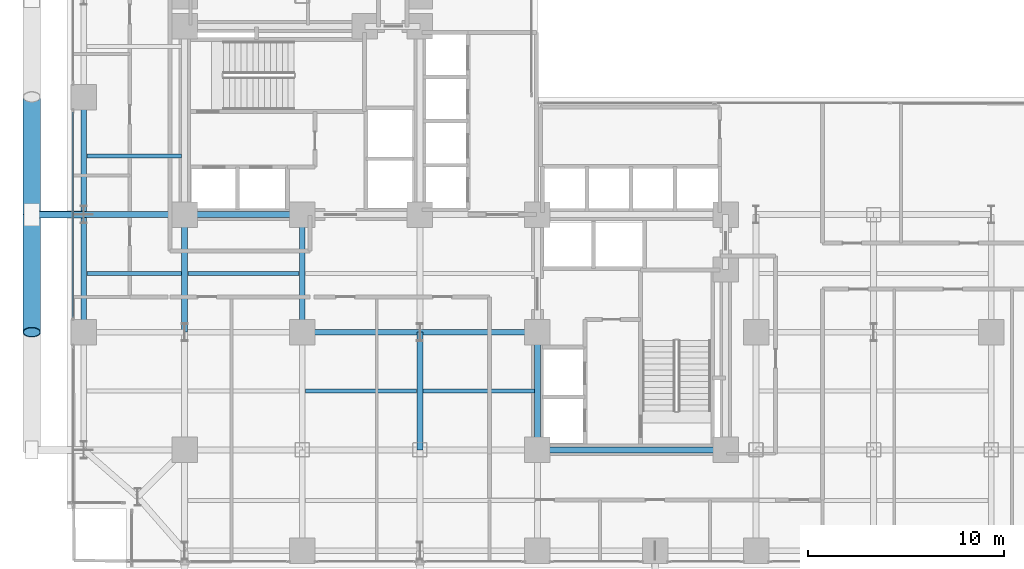
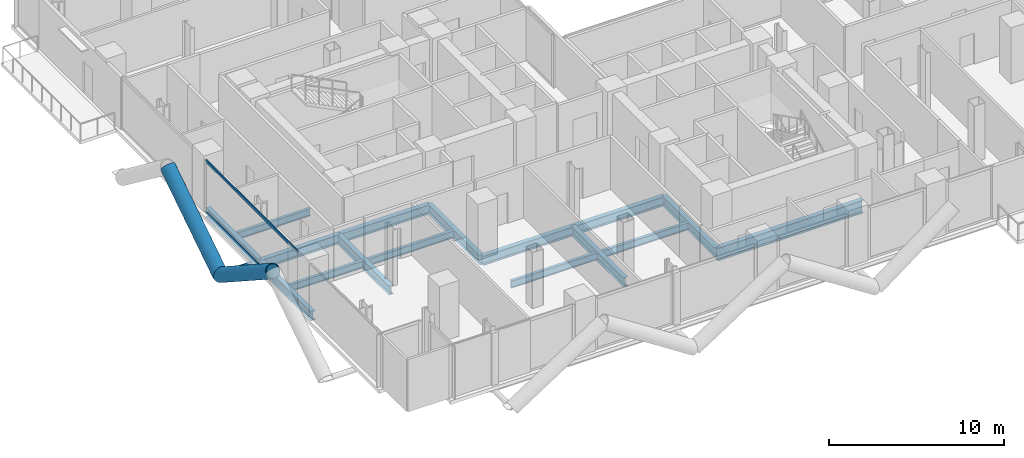
# One storey, part 4 of 27: 16 beams, 5 members, 1 element without a shape of its own.
"""IFC4 building model written with IfcOpenShell, lengths in metres."""

import ifcopenshell
import ifcopenshell.guid

model = None  # the IFC model being written
_history = None  # IfcOwnerHistory: only IFC2X3 demands one
_inside = {}  # id of a spatial element -> (the spatial element, [elements in it])
_under = {}  # id of a project, library or spatial element -> (it, [spatial elements below it])
_declared = {}  # id of a project -> (the project, [libraries it declares])
_typed = {}  # id of a type object -> (the type object, [elements of that type])
_made_of = {}  # id of a material, layer set ... -> (it, [elements and type objects made of it])


def new_model(schema):
    """Start an empty IFC model of exactly this schema.

    Asked for "IFC4X3", IfcOpenShell would pick the latest addendum, in which some entities
    have other attributes; the version numbers below select the first issue.
    IFC2X3 requires an IfcOwnerHistory on every rooted entity: one is made here for all.
    """
    global model, _history
    if schema == "IFC4X3":
        model = ifcopenshell.file(schema_version=(4, 3, 0, 0))
    else:
        model = ifcopenshell.file(schema=schema)
    _inside.clear()
    _under.clear()
    _declared.clear()
    _typed.clear()
    _made_of.clear()
    _history = None
    if model.schema == "IFC2X3":
        org = make("IfcOrganization", Name="unknown")
        user = make(
            "IfcPersonAndOrganization",
            ThePerson=make("IfcPerson", FamilyName="unknown"),
            TheOrganization=org,
        )
        app = make(
            "IfcApplication",
            ApplicationDeveloper=org,
            Version="unknown",
            ApplicationFullName="unknown",
            ApplicationIdentifier="unknown",
        )
        _history = make(
            "IfcOwnerHistory",
            OwningUser=user,
            OwningApplication=app,
            ChangeAction="ADDED",
            CreationDate=0,
        )
    return model


def make(cls, **values):
    """One entity of the class cls with the attributes given. An attribute that is None is left unset."""
    return model.create_entity(
        cls, **{name: value for name, value in values.items() if value is not None}
    )


def rooted(cls, **values):
    """An entity with a GlobalId (a new one), such as an element, a storey or a relation."""
    return make(cls, GlobalId=ifcopenshell.guid.new(), OwnerHistory=_history, **values)


def si_unit(unit_type, name, prefix=None):
    """IfcSIUnit, for example si_unit("LENGTHUNIT", "METRE", prefix="MILLI")."""
    return make("IfcSIUnit", UnitType=unit_type, Prefix=prefix, Name=name)


def assignment(units):
    """IfcUnitAssignment: the units of a project."""
    return None if units is None else make("IfcUnitAssignment", Units=units)


def point(xyz):
    """IfcCartesianPoint."""
    return None if xyz is None else make("IfcCartesianPoint", Coordinates=xyz)


def direction(xyz):
    """IfcDirection."""
    return None if xyz is None else make("IfcDirection", DirectionRatios=xyz)


def frame(location, z_axis=None, x_axis=None):
    """IfcAxis2Placement3D, a coordinate frame: its origin and axes. An axis left out is left unset."""
    return make(
        "IfcAxis2Placement3D",
        Location=point(location),
        Axis=direction(z_axis),
        RefDirection=direction(x_axis),
    )


def frame_2d(location, x_axis=None):
    """IfcAxis2Placement2D, a coordinate frame in the plane: its origin and x axis."""
    return make(
        "IfcAxis2Placement2D", Location=point(location), RefDirection=direction(x_axis)
    )


def origin():
    """The frame at (0, 0, 0) with its axes left unset."""
    return frame((0.0, 0.0, 0.0))


def origin_2d():
    """The frame at (0, 0) in the plane with its x axis left unset."""
    return frame_2d((0.0, 0.0))


def place(relative_to, where):
    """IfcLocalPlacement: puts the frame where relative to a parent placement (None: the world)."""
    return make(
        "IfcLocalPlacement", PlacementRelTo=relative_to, RelativePlacement=where
    )


def context(
    kind, dimensions, precision=None, world=None, true_north=None, identifier=None
):
    """IfcGeometricRepresentationContext, for example the 3D "Model" context."""
    return make(
        "IfcGeometricRepresentationContext",
        ContextIdentifier=identifier,
        ContextType=kind,
        CoordinateSpaceDimension=dimensions,
        Precision=precision,
        WorldCoordinateSystem=world,
        TrueNorth=true_north,
    )


def subcontext(parent, identifier, kind, view, scale=None):
    """IfcGeometricRepresentationSubContext, for example "Body" below "Model"."""
    return make(
        "IfcGeometricRepresentationSubContext",
        ContextIdentifier=identifier,
        ContextType=kind,
        ParentContext=parent,
        TargetScale=scale,
        TargetView=view,
    )


def project(units=None, contexts=None):
    """IfcProject with its units and contexts."""
    return rooted(
        "IfcProject",
        Name="project",
        RepresentationContexts=contexts,
        UnitsInContext=assignment(units),
    )


def spatial(cls, under=None, at=None, **own):
    """A site, building, storey or space (cls), placed at a placement, below another one or the project."""
    s = rooted(cls, ObjectPlacement=at, **own)
    if under is not None:
        _under.setdefault(under.id(), (under, []))[1].append(s)
    return s


def profile(cls, at=None, kind="AREA", **sizes):
    """A parametric profile (cls). Its sizes go by their IFC names, for example OverallWidth=200.0."""
    return make(cls, ProfileType=kind, Position=at, **sizes)


def hollow_rectangle(**sizes):
    """IfcRectangleHollowProfileDef."""
    return profile("IfcRectangleHollowProfileDef", **sizes)


def hollow_circle(**sizes):
    """IfcCircleHollowProfileDef."""
    return profile("IfcCircleHollowProfileDef", **sizes)


def i_section(**sizes):
    """IfcIShapeProfileDef."""
    return profile("IfcIShapeProfileDef", **sizes)


def extrude(swept, where, along, depth):
    """IfcExtrudedAreaSolid: the profile swept, set in the frame where, extruded along a direction by depth."""
    return make(
        "IfcExtrudedAreaSolid",
        SweptArea=swept,
        Position=where,
        ExtrudedDirection=direction(along),
        Depth=depth,
    )


def shape(context_of_items, identifier, shape_type, items):
    """IfcShapeRepresentation: the items that make up one representation, for example the "Body"."""
    return make(
        "IfcShapeRepresentation",
        ContextOfItems=context_of_items,
        RepresentationIdentifier=identifier,
        RepresentationType=shape_type,
        Items=items,
    )


def material(Name=None, Category=None):
    """IfcMaterial."""
    return make("IfcMaterial", Name=Name, Category=Category)


def layer(
    of_material, thickness, ventilated=None, Name=None, Category=None, Priority=None
):
    """IfcMaterialLayer: one layer of a wall or slab, of a material (None: an air gap)."""
    return make(
        "IfcMaterialLayer",
        Material=of_material,
        LayerThickness=thickness,
        IsVentilated=ventilated,
        Name=Name,
        Category=Category,
        Priority=Priority,
    )


def layer_set(layers, Name=None):
    """IfcMaterialLayerSet."""
    return make("IfcMaterialLayerSet", MaterialLayers=layers, LayerSetName=Name)


def material_profile(
    of_material, cross_section, Name=None, Category=None, Priority=None
):
    """IfcMaterialProfile: a cross section and its material."""
    return make(
        "IfcMaterialProfile",
        Name=Name,
        Material=of_material,
        Profile=cross_section,
        Priority=Priority,
        Category=Category,
    )


def profile_set(profiles, Name=None, composite=None):
    """IfcMaterialProfileSet."""
    return make(
        "IfcMaterialProfileSet",
        Name=Name,
        MaterialProfiles=profiles,
        CompositeProfile=composite,
    )


def made_of(thing, what):
    """Note that an element or type object is made of a material, layer set ...; save() writes the relation."""
    if what is not None:
        _made_of.setdefault(what.id(), (what, []))[1].append(thing)
    return thing


def type_object(cls, material=None, **own):
    """A type object (cls), such as IfcWallType, which elements share."""
    return made_of(rooted(cls, **own), material)


def element(
    cls,
    number,
    at=None,
    inside=None,
    cuts=None,
    type_object=None,
    material=None,
    context=None,
    identifier="Body",
    shape_type=None,
    held_by="IfcProductDefinitionShape",
    body=None,
    shapes=None,
    **own,
):
    """One element of the class cls, such as IfcWall. Its Tag is "e" and its number.

    at: its placement. inside: the storey or other place that contains it. cuts: it is an
    opening in that element (IfcRelVoidsElement). A single representation is given by context,
    identifier, shape_type and body (its items); several are given by shapes. held_by: the class
    of the entity that holds the representations. save() writes the other relations.
    """
    e = rooted(cls, Tag="e%d" % number, ObjectPlacement=at, **own)
    if body is not None:
        shapes = [shape(context, identifier, shape_type, body)]
    if shapes is not None:
        e.Representation = make(held_by, Representations=shapes)
    if inside is not None:
        _inside.setdefault(inside.id(), (inside, []))[1].append(e)
    if cuts is not None:
        rooted(
            "IfcRelVoidsElement", RelatingBuildingElement=cuts, RelatedOpeningElement=e
        )
    if type_object is not None:
        _typed.setdefault(type_object.id(), (type_object, []))[1].append(e)
    return made_of(e, material)


def aggregate(whole, parts):
    """IfcRelAggregates: a whole, such as a stair, and the parts it consists of."""
    return rooted("IfcRelAggregates", RelatingObject=whole, RelatedObjects=parts)


def save(model, path):
    """Write the relations noted so far, then the file.

    IfcRelAggregates (storeys below a building ...), IfcRelContainedInSpatialStructure (elements
    in a storey), IfcRelDefinesByType, IfcRelAssociatesMaterial and IfcRelDeclares: one each for
    every whole, place, type object, material and project.
    """
    for whole, parts in _under.values():
        aggregate(whole, parts)
    for where, things in _inside.values():
        rooted(
            "IfcRelContainedInSpatialStructure",
            RelatedElements=things,
            RelatingStructure=where,
        )
    for kind, things in _typed.values():
        rooted("IfcRelDefinesByType", RelatedObjects=things, RelatingType=kind)
    for what, things in _made_of.values():
        rooted("IfcRelAssociatesMaterial", RelatedObjects=things, RelatingMaterial=what)
    for by, libraries in _declared.values():
        rooted("IfcRelDeclares", RelatingContext=by, RelatedDefinitions=libraries)
    model.write(path)


model = new_model("IFC4")

# Units and contexts
model_context = context("Model", 3, precision=1e-05, world=origin(), true_north=direction((0.0, 1.0)))
body_context = subcontext(model_context, "Body", "Model", "MODEL_VIEW")
ifc_project = project(units=[si_unit("LENGTHUNIT", "METRE"), si_unit("AREAUNIT", "SQUARE_METRE"), si_unit("VOLUMEUNIT", "CUBIC_METRE"), si_unit("PLANEANGLEUNIT", "RADIAN"), si_unit("MASSUNIT", "GRAM", prefix="KILO"), si_unit("THERMODYNAMICTEMPERATUREUNIT", "KELVIN"), si_unit("POWERUNIT", "WATT")], contexts=[model_context])

# Site, building, storey
site_placement = place(None, origin())
site = spatial("IfcSite", under=ifc_project, at=site_placement, CompositionType="ELEMENT")
building_placement = place(site_placement, origin())
building = spatial("IfcBuilding", under=site, at=building_placement, Name="Svarakhadi Broadcast Tower", CompositionType="ELEMENT")
storey_placement = place(building_placement, frame((0.0, 0.0, 55.800048828125)))
storey = spatial("IfcBuildingStorey", under=building, at=storey_placement, Name="L12", CompositionType="ELEMENT", Elevation=55.800048828125)

# Beams
ifc_material_1 = material(Name="Steel S355J2 (IS 2062 E350C)", Category="steel")
ifc_material_profile_1 = material_profile(ifc_material_1, i_section(OverallWidth=0.199951171875, OverallDepth=0.5, WebThickness=0.01025390625, FlangeThickness=0.01611328125, FilletRadius=0.02099609375, at=origin_2d()), Name="NPB 500x200x91")
ifc_profile_set_1 = profile_set([ifc_material_profile_1], Name="Steel S355J2 (IS 2062 E350C)")
beam_type_1 = type_object("IfcBeamType", Name="Beam_NPB500", PredefinedType="BEAM", material=ifc_profile_set_1)
for number, where, z_axis, x_axis, name in (
    (1, (1.010009765625, 15.0, -0.5), (1.0, 0.0, 0.0), (0.0, 1.0, 0.0), "L12 Secondary Composite Beam SB002"),
    (2, (1.010009765625, 21.0, -0.5), (1.0, 0.0, 0.0), (0.0, 1.0, 0.0), "L12 Secondary Composite Beam SB003"),
):
    element("IfcBeam", number, at=place(storey_placement, frame(where, z_axis=z_axis, x_axis=x_axis)), inside=storey, type_object=beam_type_1, Name=name, PredefinedType="BEAM", context=body_context, shape_type="SweptSolid", body=[
        extrude(i_section(OverallWidth=0.199951171875, OverallDepth=0.5, WebThickness=0.01025390625, FlangeThickness=0.01611328125, FilletRadius=0.02099609375, at=origin_2d()), origin(), (0.0, 0.0, 1.0), 4.830078125),
    ])
for number, where, z_axis, x_axis, name in (
    (3, (6.159912109375, 15.0, -0.5), (1.0, 0.0, 0.0), (0.0, 1.0, 0.0), "L12 Secondary Composite Beam SB009"),
    (4, (12.159912109375, 9.0, -0.5), (1.0, 0.0, 0.0), (0.0, 1.0, 0.0), "L12 Secondary Composite Beam SB014"),
    (5, (18.159912109375, 9.0, -0.5), (1.0, 0.0, 0.0), (0.0, 1.0, 0.0), "L12 Secondary Composite Beam SB020"),
):
    element("IfcBeam", number, at=place(storey_placement, frame(where, z_axis=z_axis, x_axis=x_axis)), inside=storey, type_object=beam_type_1, Name=name, PredefinedType="BEAM", context=body_context, shape_type="SweptSolid", body=[
        extrude(i_section(OverallWidth=0.199951171875, OverallDepth=0.5, WebThickness=0.01025390625, FlangeThickness=0.01611328125, FilletRadius=0.02099609375, at=origin_2d()), origin(), (0.0, 0.0, 1.0), 5.68017578125),
    ])

# Curtain wall, members
ifc_material_2 = material(Name="Anodised Bronze Aluminium AA 6063-T6", Category="aluminium")
ifc_layer = layer(ifc_material_2, 0.219970703125)
ifc_layer_set = layer_set([ifc_layer], Name="Anodised Bronze Aluminium AA 6063-T6")
curtain_wall_type = type_object("IfcCurtainWallType", Name="CW_Sys_02", PredefinedType="NOTDEFINED", material=ifc_layer_set)
curtain_wall_placement = place(storey_placement, origin())
curtain_wall = element("IfcCurtainWall", 6, at=curtain_wall_placement, inside=storey, type_object=curtain_wall_type, Name="L12 West Curtain Wall 02 Bay 2", PredefinedType="NOTDEFINED")
ifc_material_profile_2 = material_profile(ifc_material_2, hollow_rectangle(XDim=0.074951171875, YDim=0.199951171875, WallThickness=0.0048828125, at=origin_2d()), Name="ALU TRANSOM 200x75x5")
ifc_profile_set_2 = profile_set([ifc_material_profile_2], Name="Anodised Bronze Aluminium AA 6063-T6")
member_type_1 = type_object("IfcMemberType", Name="CW_Sys_02_Trn", PredefinedType="USERDEFINED", material=ifc_profile_set_2)
member_1_placement = place(storey_placement, frame((0.300048828125, 12.7548828125, 0.037353515625), z_axis=(0.0, 1.0, 0.0), x_axis=(-1.0, 0.0, 0.0)))
member_1 = element("IfcMember", 7, at=member_1_placement, type_object=member_type_1, Name="CW-02 transom 1.1", ObjectType="TRANSOM", PredefinedType="USERDEFINED", context=body_context, shape_type="SweptSolid", body=[
    extrude(hollow_rectangle(XDim=0.074951171875, YDim=0.199951171875, WallThickness=0.0048828125, at=origin_2d()), origin(), (0.0, 0.0, 1.0), 10.490234375),
])
member_2_placement = place(storey_placement, frame((0.300048828125, 12.7548828125, 3.612548828125), z_axis=(0.0, 1.0, 0.0), x_axis=(-1.0, 0.0, 0.0)))
member_2 = element("IfcMember", 8, at=member_2_placement, type_object=member_type_1, Name="CW-02 transom 1.2", ObjectType="TRANSOM", PredefinedType="USERDEFINED", context=body_context, shape_type="SweptSolid", body=[
    extrude(hollow_rectangle(XDim=0.074951171875, YDim=0.199951171875, WallThickness=0.0048828125, at=origin_2d()), origin(), (0.0, 0.0, 1.0), 10.490234375),
])
aggregate(curtain_wall, [member_1, member_2])

# Members
ifc_material_3 = material(Name="Steel S460ML (IS 2062 E450BR)", Category="steel")
ifc_material_profile_3 = material_profile(ifc_material_3, hollow_circle(Radius=0.45703125, WallThickness=0.044921875, at=origin_2d()), Name="CHS 914x45")
ifc_profile_set_3 = profile_set([ifc_material_profile_3], Name="Steel S460ML (IS 2062 E450BR)")
member_type_2 = type_object("IfcMemberType", Name="Exo_Brace_CHS914", PredefinedType="BRACE", material=ifc_profile_set_3)
for number, where, z_axis, x_axis, name in (
    (9, (-1.800048828125, 18.0, -0.427734375), (0.0, -0.838449851971, 0.544978757136), (1.0, 0.0, 0.0), "L12 Exposed Bronze Exoskeleton Diagonal W07"),
    (10, (-1.800048828125, 18.0, -0.427734375), (0.0, 0.838449851971, 0.544978757136), (-1.0, 0.0, 0.0), "L12 Exposed Bronze Exoskeleton Diagonal W08"),
):
    element("IfcMember", number, at=place(storey_placement, frame(where, z_axis=z_axis, x_axis=x_axis)), inside=storey, type_object=member_type_2, Name=name, PredefinedType="BRACE", context=body_context, shape_type="SweptSolid", body=[
        extrude(hollow_circle(Radius=0.45703125, WallThickness=0.044921875, at=origin_2d()), origin(), (0.0, 0.0, 1.0), 7.156005859375),
    ])
ifc_material_profile_4 = material_profile(ifc_material_3, hollow_circle(Radius=0.177734375, WallThickness=0.02001953125, at=origin_2d()), Name="CHS 355.6x20")
ifc_profile_set_4 = profile_set([ifc_material_profile_4], Name="Steel S460ML (IS 2062 E450BR)")
member_type_3 = type_object("IfcMemberType", Name="Exo_Radial_Strut_Z1", PredefinedType="STRUT", material=ifc_profile_set_4)
member_3_placement = place(storey_placement, frame((-1.800048828125, 18.0, -0.427734375), z_axis=(1.0, 0.0, 0.0), x_axis=(0.0, 1.0, 0.0)))
element("IfcMember", 11, at=member_3_placement, inside=storey, type_object=member_type_3, Name="L12 Exoskeleton Radial Tie Strut W06", PredefinedType="STRUT", context=body_context, shape_type="SweptSolid", body=[
    extrude(hollow_circle(Radius=0.177734375, WallThickness=0.02001953125, at=origin_2d()), origin(), (0.0, 0.0, 1.0), 2.650146484375),
])

# Beams
ifc_material_profile_5 = material_profile(ifc_material_1, i_section(OverallWidth=0.300048828125, OverallDepth=0.64990234375, WebThickness=0.01611328125, FlangeThickness=0.031005859375, FilletRadius=0.027099609375, at=origin_2d()), Name="WPB 650x300x225")
ifc_profile_set_5 = profile_set([ifc_material_profile_5], Name="Steel S355J2 (IS 2062 E350C)")
beam_type_2 = type_object("IfcBeamType", Name="Girder_WPB650", PredefinedType="USERDEFINED", material=ifc_profile_set_5)
for number, where, z_axis, x_axis, name in (
    (12, (12.0, 12.0, -0.574951171875), (1.0, 0.0, 0.0), (0.0, 1.0, 0.0), "L12 Primary E-W Girder G021"),
    (13, (18.0, 12.0, -0.574951171875), (1.0, 0.0, 0.0), (0.0, 1.0, 0.0), "L12 Primary E-W Girder G022"),
):
    element("IfcBeam", number, at=place(storey_placement, frame(where, z_axis=z_axis, x_axis=x_axis)), inside=storey, type_object=beam_type_2, Name=name, ObjectType="GIRDER", PredefinedType="USERDEFINED", context=body_context, shape_type="SweptSolid", body=[
        extrude(i_section(OverallWidth=0.300048828125, OverallDepth=0.64990234375, WebThickness=0.01611328125, FlangeThickness=0.031005859375, FilletRadius=0.027099609375, at=origin_2d()), origin(), (0.0, 0.0, 1.0), 6.0),
    ])
beam_1_placement = place(storey_placement, frame((0.85009765625, 18.0, -0.574951171875), z_axis=(1.0, 0.0, 0.0), x_axis=(0.0, 1.0, 0.0)))
element("IfcBeam", 14, at=beam_1_placement, inside=storey, type_object=beam_type_2, Name="L12 Primary E-W Girder G025", ObjectType="GIRDER", PredefinedType="USERDEFINED", context=body_context, shape_type="SweptSolid", body=[
    extrude(i_section(OverallWidth=0.300048828125, OverallDepth=0.64990234375, WebThickness=0.01611328125, FlangeThickness=0.031005859375, FilletRadius=0.027099609375, at=origin_2d()), origin(), (0.0, 0.0, 1.0), 5.14990234375),
])
for number, where, z_axis, x_axis, name in (
    (15, (6.0, 18.0, -0.574951171875), (1.0, 0.0, 0.0), (0.0, 1.0, 0.0), "L12 Primary E-W Girder G026"),
    (16, (0.85009765625, 12.0, -0.574951171875), (0.0, 1.0, 0.0), (-1.0, 0.0, 0.0), "L12 Primary N-S Girder G046"),
    (17, (0.85009765625, 18.0, -0.574951171875), (0.0, 1.0, 0.0), (-1.0, 0.0, 0.0), "L12 Primary N-S Girder G047"),
    (18, (6.0, 12.0, -0.574951171875), (0.0, 1.0, 0.0), (-1.0, 0.0, 0.0), "L12 Primary N-S Girder G053"),
    (19, (12.0, 12.0, -0.574951171875), (0.0, 1.0, 0.0), (-1.0, 0.0, 0.0), "L12 Primary N-S Girder G060"),
    (20, (18.0, 6.0, -0.574951171875), (0.0, 1.0, 0.0), (-1.0, 0.0, 0.0), "L12 Primary N-S Girder G065"),
    (21, (24.0, 6.0, -0.574951171875), (0.0, 1.0, 0.0), (-1.0, 0.0, 0.0), "L12 Primary N-S Girder G072"),
):
    element("IfcBeam", number, at=place(storey_placement, frame(where, z_axis=z_axis, x_axis=x_axis)), inside=storey, type_object=beam_type_2, Name=name, ObjectType="GIRDER", PredefinedType="USERDEFINED", context=body_context, shape_type="SweptSolid", body=[
        extrude(i_section(OverallWidth=0.300048828125, OverallDepth=0.64990234375, WebThickness=0.01611328125, FlangeThickness=0.031005859375, FilletRadius=0.027099609375, at=origin_2d()), origin(), (0.0, 0.0, 1.0), 6.0),
    ])
ifc_material_profile_6 = material_profile(ifc_material_3, i_section(OverallWidth=0.300048828125, OverallDepth=0.89990234375, WebThickness=0.0185546875, FlangeThickness=0.034912109375, FilletRadius=0.030029296875, at=origin_2d()), Name="WPB 900x300x291")
ifc_profile_set_6 = profile_set([ifc_material_profile_6], Name="Steel S460ML (IS 2062 E450BR)")
beam_type_3 = type_object("IfcBeamType", Name="Girder_WPB900", PredefinedType="USERDEFINED", material=ifc_profile_set_6)
beam_2_placement = place(storey_placement, frame((24.0, 6.0, -0.699951171875), z_axis=(1.0, 0.0, 0.0), x_axis=(0.0, 1.0, 0.0)))
element("IfcBeam", 22, at=beam_2_placement, inside=storey, type_object=beam_type_3, Name="L12 Primary E-W Girder G015", ObjectType="GIRDER", PredefinedType="USERDEFINED", context=body_context, shape_type="SweptSolid", body=[
    extrude(i_section(OverallWidth=0.300048828125, OverallDepth=0.89990234375, WebThickness=0.0185546875, FlangeThickness=0.034912109375, FilletRadius=0.030029296875, at=origin_2d()), origin(), (0.0, 0.0, 1.0), 9.60009765625),
])

save(model, "model.ifc")
